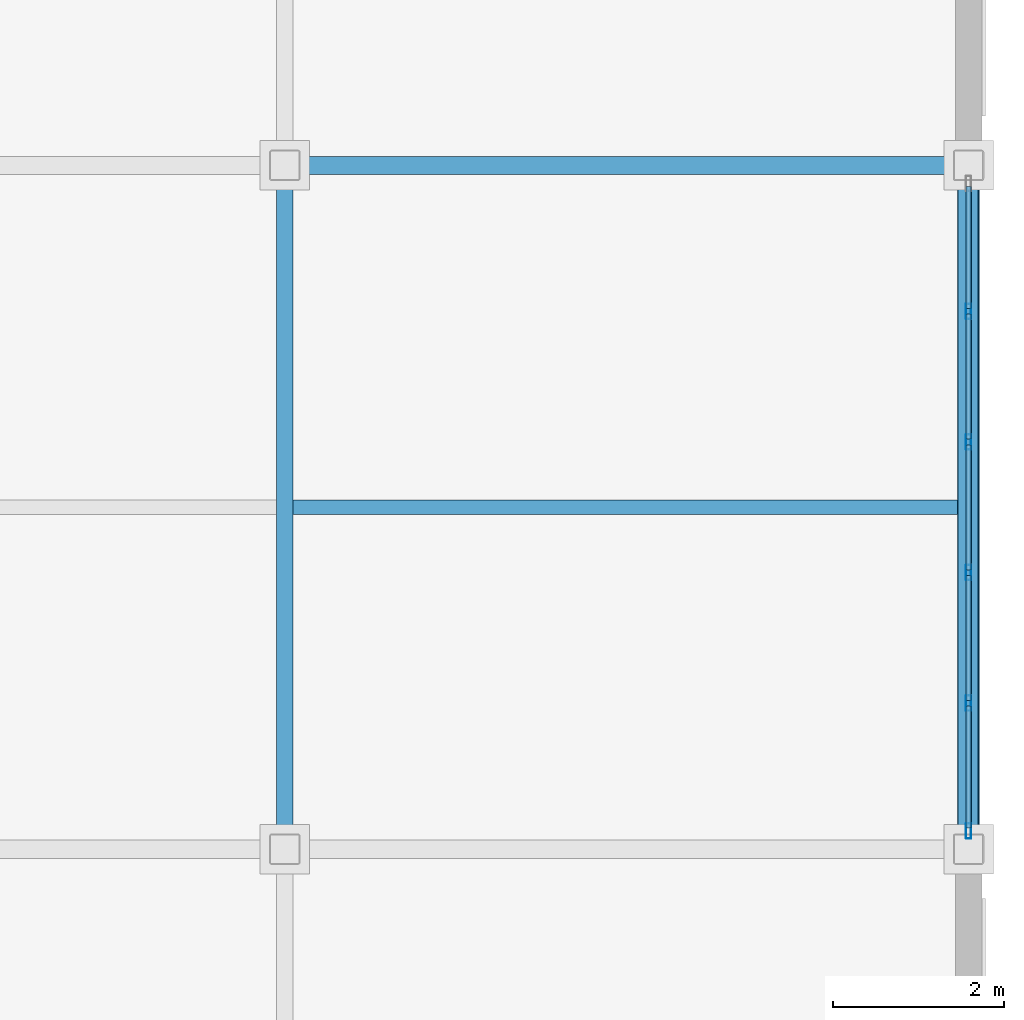
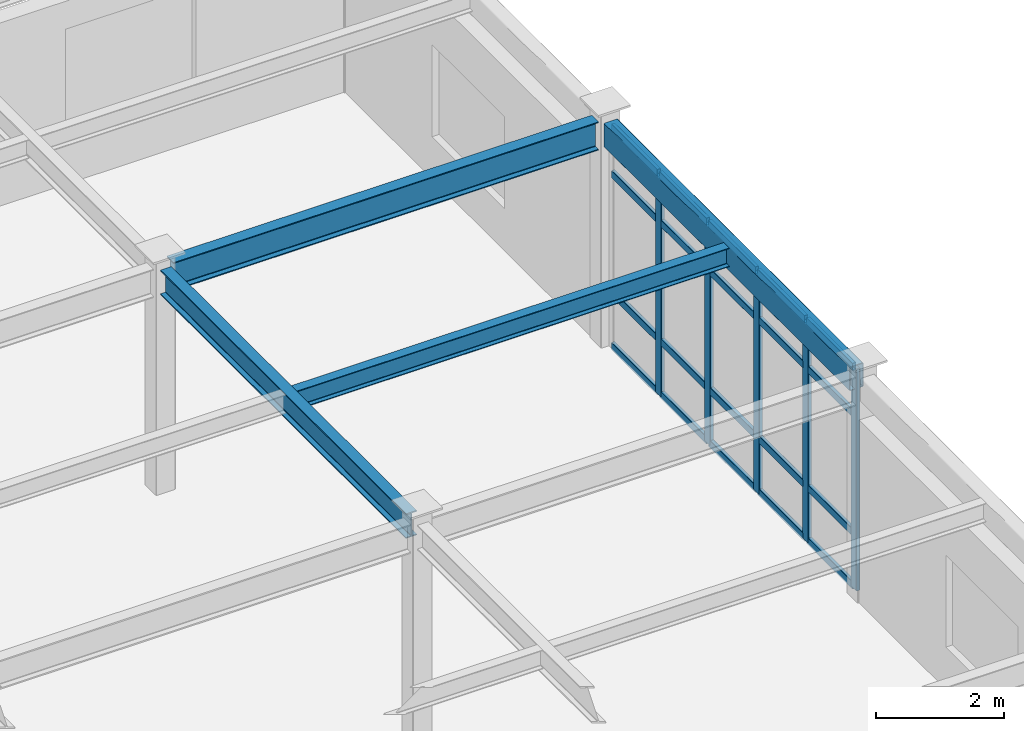
# One storey, part 68 of 111: 25 members, 4 beams, 1 element without a shape of its own.
"""IFC4 building model written with IfcOpenShell, lengths in metres."""

from ifc_helpers import new_model, si_unit, direction, frame, origin, origin_2d, place, context, subcontext, project, spatial, hollow_rectangle, i_section, extrude, material, material_profile, profile_set, type_object, element, aggregate, save


model = new_model("IFC4")

# Units and contexts
model_context = context("Model", 3, precision=1e-05, world=origin(), true_north=direction((0.0, 1.0)))
body_context = subcontext(model_context, "Body", "Model", "MODEL_VIEW")
ifc_project = project(units=[si_unit("LENGTHUNIT", "METRE"), si_unit("AREAUNIT", "SQUARE_METRE"), si_unit("VOLUMEUNIT", "CUBIC_METRE"), si_unit("PLANEANGLEUNIT", "RADIAN"), si_unit("MASSUNIT", "GRAM", prefix="KILO")], contexts=[model_context])

# Site, building, storey
site_placement = place(None, origin())
site = spatial("IfcSite", under=ifc_project, at=site_placement, CompositionType="ELEMENT")
building_placement = place(site_placement, origin())
building = spatial("IfcBuilding", under=site, at=building_placement, Name="Solmirada Galleria", CompositionType="ELEMENT")
storey_placement = place(building_placement, frame((0.0, 0.0, 10.39990234375)))
storey = spatial("IfcBuildingStorey", under=building, at=storey_placement, Name="L02", CompositionType="ELEMENT", Elevation=10.39990234375)

# Beams
ifc_material_1 = material(Name="Steel S355 / ASTM A992 Grade 50", Category="steel")
ifc_material_profile_1 = material_profile(ifc_material_1, i_section(OverallWidth=0.194091796875, OverallDepth=0.468994140625, WebThickness=0.0126953125, FlangeThickness=0.0205078125, FilletRadius=0.013916015625, at=origin_2d()), Name="W18X71")
ifc_profile_set_1 = profile_set([ifc_material_profile_1], Name="Steel S355 / ASTM A992 Grade 50")
beam_type_1 = type_object("IfcBeamType", Name="BM-GIRD-W18B", PredefinedType="BEAM", material=ifc_profile_set_1)
beam_1_placement = place(storey_placement, frame((168.0, 16.177978515625, 4.025634765625), z_axis=(0.0, 1.0, 0.0), x_axis=(-1.0, 0.0, 0.0)))
element("IfcBeam", 1, at=beam_1_placement, inside=storey, type_object=beam_type_1, Name="Primary girder L03 Y(168, 16..24)", PredefinedType="BEAM", context=body_context, shape_type="SweptSolid", body=[
    extrude(i_section(OverallWidth=0.194091796875, OverallDepth=0.468994140625, WebThickness=0.0126953125, FlangeThickness=0.0205078125, FilletRadius=0.013916015625, at=origin_2d()), origin(), (0.0, 0.0, 1.0), 7.64404296875),
])
ifc_material_profile_2 = material_profile(ifc_material_1, i_section(OverallWidth=0.2099609375, OverallDepth=0.537109375, WebThickness=0.010986328125, FlangeThickness=0.017333984375, FilletRadius=0.014892578125, at=origin_2d()), Name="W21X68")
ifc_profile_set_2 = profile_set([ifc_material_profile_2], Name="Steel S355 / ASTM A992 Grade 50")
beam_type_2 = type_object("IfcBeamType", Name="BM-GIRD-W21B", PredefinedType="BEAM", material=ifc_profile_set_2)
beam_2_placement = place(storey_placement, frame((168.177978515625, 24.0, 3.99169921875), z_axis=(1.0, 0.0, 0.0), x_axis=(0.0, 1.0, 0.0)))
element("IfcBeam", 2, at=beam_2_placement, inside=storey, type_object=beam_type_2, Name="Primary beam L03 X(168..176, 24)", PredefinedType="BEAM", context=body_context, shape_type="SweptSolid", body=[
    extrude(i_section(OverallWidth=0.2099609375, OverallDepth=0.537109375, WebThickness=0.010986328125, FlangeThickness=0.017333984375, FilletRadius=0.014892578125, at=origin_2d()), origin(), (0.0, 0.0, 1.0), 7.64404296875),
])
ifc_material_profile_3 = material_profile(ifc_material_1, i_section(OverallWidth=0.172119140625, OverallDepth=0.35791015625, WebThickness=0.0078125, FlangeThickness=0.01318359375, FilletRadius=0.011962890625, at=origin_2d()), Name="W14X38")
ifc_profile_set_3 = profile_set([ifc_material_profile_3], Name="Steel S355 / ASTM A992 Grade 50")
beam_type_3 = type_object("IfcBeamType", Name="BM-JST-W14A", PredefinedType="JOIST", material=ifc_profile_set_3)
beam_3_placement = place(storey_placement, frame((168.096923828125, 20.0, 4.0810546875), z_axis=(1.0, 0.0, 0.0), x_axis=(0.0, 1.0, 0.0)))
element("IfcBeam", 3, at=beam_3_placement, inside=storey, type_object=beam_type_3, Name="Composite floor joist L03 (168..176, 20.0)", PredefinedType="JOIST", context=body_context, shape_type="SweptSolid", body=[
    extrude(i_section(OverallWidth=0.172119140625, OverallDepth=0.35791015625, WebThickness=0.0078125, FlangeThickness=0.01318359375, FilletRadius=0.011962890625, at=origin_2d()), origin(), (0.0, 0.0, 1.0), 7.776123046875),
])
ifc_material_2 = material(Name="Steel S355 / ASTM A500 Grade C", Category="steel")
ifc_material_profile_4 = material_profile(ifc_material_2, hollow_rectangle(XDim=0.25390625, YDim=0.45703125, WallThickness=0.01171875, InnerFilletRadius=0.01171875, OuterFilletRadius=0.023681640625, at=origin_2d()), Name="HSS18X10X1/2")
ifc_profile_set_4 = profile_set([ifc_material_profile_4], Name="Steel S355 / ASTM A500 Grade C")
beam_type_4 = type_object("IfcBeamType", Name="BM-SPAND-W18", PredefinedType="SPANDREL", material=ifc_profile_set_4)
beam_4_placement = place(storey_placement, frame((176.0, 16.177978515625, 4.031494140625), z_axis=(0.0, 1.0, 0.0), x_axis=(-1.0, 0.0, 0.0)))
element("IfcBeam", 4, at=beam_4_placement, inside=storey, type_object=beam_type_4, Name="Primary girder L03 Y(176, 16..24)", PredefinedType="SPANDREL", context=body_context, shape_type="SweptSolid", body=[
    extrude(hollow_rectangle(XDim=0.25390625, YDim=0.45703125, WallThickness=0.01171875, InnerFilletRadius=0.01171875, OuterFilletRadius=0.023681640625, at=origin_2d()), origin(), (0.0, 0.0, 1.0), 7.64404296875),
])

# Curtain wall, members
ifc_material_3 = material(Name="Impact-resistant low-E double glazing", Category="glass")
curtain_wall_type = type_object("IfcCurtainWallType", Name="CW-FZ5-L02-B5-L076", PredefinedType="NOTDEFINED", material=ifc_material_3)
curtain_wall_placement = place(storey_placement, origin())
curtain_wall = element("IfcCurtainWall", 5, at=curtain_wall_placement, inside=storey, type_object=curtain_wall_type, Name="Terrace and arcade storefront CW-L02-116", PredefinedType="NOTDEFINED")
ifc_material_4 = material(Name="Anodised aluminium framing", Category="aluminium")
ifc_material_profile_5 = material_profile(ifc_material_4, hollow_rectangle(XDim=0.06494140625, YDim=0.179931640625, WallThickness=0.00390625, InnerFilletRadius=0.00390625, OuterFilletRadius=0.008056640625, at=origin_2d()), Name="ALU-MULL-180X65")
ifc_profile_set_5 = profile_set([ifc_material_profile_5], Name="Anodised aluminium framing")
member_type_1 = type_object("IfcMemberType", Name="CW-MULL-180", PredefinedType="MULLION", material=ifc_profile_set_5)
member_1_placement = place(storey_placement, frame((176.0, 22.2919921875, 0.0), z_axis=(0.0, 0.0, 1.0), x_axis=(1.0, 0.0, 0.0)))
member_1 = element("IfcMember", 6, at=member_1_placement, type_object=member_type_1, Name="CW26 mullion 2", PredefinedType="MULLION", context=body_context, shape_type="SweptSolid", body=[
    extrude(hollow_rectangle(XDim=0.06494140625, YDim=0.179931640625, WallThickness=0.00390625, InnerFilletRadius=0.00390625, OuterFilletRadius=0.008056640625, at=origin_2d()), origin(), (0.0, 0.0, 1.0), 4.22021484375),
])
member_2_placement = place(storey_placement, frame((176.0, 20.763916015625, 0.0), z_axis=(0.0, 0.0, 1.0), x_axis=(1.0, 0.0, 0.0)))
member_2 = element("IfcMember", 7, at=member_2_placement, type_object=member_type_1, Name="CW26 mullion 3", PredefinedType="MULLION", context=body_context, shape_type="SweptSolid", body=[
    extrude(hollow_rectangle(XDim=0.06494140625, YDim=0.179931640625, WallThickness=0.00390625, InnerFilletRadius=0.00390625, OuterFilletRadius=0.008056640625, at=origin_2d()), origin(), (0.0, 0.0, 1.0), 4.22021484375),
])
member_3_placement = place(storey_placement, frame((176.0, 19.236083984375, 0.0), z_axis=(0.0, 0.0, 1.0), x_axis=(1.0, 0.0, 0.0)))
member_3 = element("IfcMember", 8, at=member_3_placement, type_object=member_type_1, Name="CW26 mullion 4", PredefinedType="MULLION", context=body_context, shape_type="SweptSolid", body=[
    extrude(hollow_rectangle(XDim=0.06494140625, YDim=0.179931640625, WallThickness=0.00390625, InnerFilletRadius=0.00390625, OuterFilletRadius=0.008056640625, at=origin_2d()), origin(), (0.0, 0.0, 1.0), 4.22021484375),
])
member_4_placement = place(storey_placement, frame((176.0, 17.7080078125, 0.0), z_axis=(0.0, 0.0, 1.0), x_axis=(1.0, 0.0, 0.0)))
member_4 = element("IfcMember", 9, at=member_4_placement, type_object=member_type_1, Name="CW26 mullion 5", PredefinedType="MULLION", context=body_context, shape_type="SweptSolid", body=[
    extrude(hollow_rectangle(XDim=0.06494140625, YDim=0.179931640625, WallThickness=0.00390625, InnerFilletRadius=0.00390625, OuterFilletRadius=0.008056640625, at=origin_2d()), origin(), (0.0, 0.0, 1.0), 4.22021484375),
])
member_5_placement = place(storey_placement, frame((176.0, 16.21240234375, 0.0), z_axis=(0.0, 0.0, 1.0), x_axis=(1.0, 0.0, 0.0)))
member_5 = element("IfcMember", 10, at=member_5_placement, type_object=member_type_1, Name="CW26 mullion 6", PredefinedType="MULLION", context=body_context, shape_type="SweptSolid", body=[
    extrude(hollow_rectangle(XDim=0.06494140625, YDim=0.179931640625, WallThickness=0.00390625, InnerFilletRadius=0.00390625, OuterFilletRadius=0.008056640625, at=origin_2d()), origin(), (0.0, 0.0, 1.0), 4.22021484375),
])
ifc_material_profile_6 = material_profile(ifc_material_4, hollow_rectangle(XDim=0.06494140625, YDim=0.139892578125, WallThickness=0.00341796875, InnerFilletRadius=0.00341796875, OuterFilletRadius=0.007080078125, at=origin_2d()), Name="ALU-TRAN-140X65")
ifc_profile_set_6 = profile_set([ifc_material_profile_6], Name="Anodised aluminium framing")
member_type_2 = type_object("IfcMemberType", Name="CW-TRAN-140", PredefinedType="USERDEFINED", material=ifc_profile_set_6)
member_6_placement = place(storey_placement, frame((176.0, 23.7548828125, 0.03271484375), z_axis=(0.0, -1.0, 0.0), x_axis=(1.0, 0.0, 0.0)))
member_6 = element("IfcMember", 11, at=member_6_placement, type_object=member_type_2, Name="CW26 transom 1.1", ObjectType="TRANSOM", PredefinedType="USERDEFINED", context=body_context, shape_type="SweptSolid", body=[
    extrude(hollow_rectangle(XDim=0.06494140625, YDim=0.139892578125, WallThickness=0.00341796875, InnerFilletRadius=0.00341796875, OuterFilletRadius=0.007080078125, at=origin_2d()), origin(), (0.0, 0.0, 1.0), 1.430419921875),
])
member_7_placement = place(storey_placement, frame((176.0, 23.7548828125, 1.0400390625), z_axis=(0.0, -1.0, 0.0), x_axis=(1.0, 0.0, 0.0)))
member_7 = element("IfcMember", 12, at=member_7_placement, type_object=member_type_2, Name="CW26 transom 1.2", ObjectType="TRANSOM", PredefinedType="USERDEFINED", context=body_context, shape_type="SweptSolid", body=[
    extrude(hollow_rectangle(XDim=0.06494140625, YDim=0.139892578125, WallThickness=0.00341796875, InnerFilletRadius=0.00341796875, OuterFilletRadius=0.007080078125, at=origin_2d()), origin(), (0.0, 0.0, 1.0), 1.430419921875),
])
member_8_placement = place(storey_placement, frame((176.0, 23.7548828125, 3.300048828125), z_axis=(0.0, -1.0, 0.0), x_axis=(1.0, 0.0, 0.0)))
member_8 = element("IfcMember", 13, at=member_8_placement, type_object=member_type_2, Name="CW26 transom 1.3", ObjectType="TRANSOM", PredefinedType="USERDEFINED", context=body_context, shape_type="SweptSolid", body=[
    extrude(hollow_rectangle(XDim=0.06494140625, YDim=0.139892578125, WallThickness=0.00341796875, InnerFilletRadius=0.00341796875, OuterFilletRadius=0.007080078125, at=origin_2d()), origin(), (0.0, 0.0, 1.0), 1.430419921875),
])
member_9_placement = place(storey_placement, frame((176.0, 23.7548828125, 4.1875), z_axis=(0.0, -1.0, 0.0), x_axis=(1.0, 0.0, 0.0)))
member_9 = element("IfcMember", 14, at=member_9_placement, type_object=member_type_2, Name="CW26 transom 1.4", ObjectType="TRANSOM", PredefinedType="USERDEFINED", context=body_context, shape_type="SweptSolid", body=[
    extrude(hollow_rectangle(XDim=0.06494140625, YDim=0.139892578125, WallThickness=0.00341796875, InnerFilletRadius=0.00341796875, OuterFilletRadius=0.007080078125, at=origin_2d()), origin(), (0.0, 0.0, 1.0), 1.430419921875),
])
member_10_placement = place(storey_placement, frame((176.0, 22.259521484375, 0.03271484375), z_axis=(0.0, -1.0, 0.0), x_axis=(1.0, 0.0, 0.0)))
member_10 = element("IfcMember", 15, at=member_10_placement, type_object=member_type_2, Name="CW26 transom 2.1", ObjectType="TRANSOM", PredefinedType="USERDEFINED", context=body_context, shape_type="SweptSolid", body=[
    extrude(hollow_rectangle(XDim=0.06494140625, YDim=0.139892578125, WallThickness=0.00341796875, InnerFilletRadius=0.00341796875, OuterFilletRadius=0.007080078125, at=origin_2d()), origin(), (0.0, 0.0, 1.0), 1.463134765625),
])
member_11_placement = place(storey_placement, frame((176.0, 22.259521484375, 1.0400390625), z_axis=(0.0, -1.0, 0.0), x_axis=(1.0, 0.0, 0.0)))
member_11 = element("IfcMember", 16, at=member_11_placement, type_object=member_type_2, Name="CW26 transom 2.2", ObjectType="TRANSOM", PredefinedType="USERDEFINED", context=body_context, shape_type="SweptSolid", body=[
    extrude(hollow_rectangle(XDim=0.06494140625, YDim=0.139892578125, WallThickness=0.00341796875, InnerFilletRadius=0.00341796875, OuterFilletRadius=0.007080078125, at=origin_2d()), origin(), (0.0, 0.0, 1.0), 1.463134765625),
])
member_12_placement = place(storey_placement, frame((176.0, 22.259521484375, 3.300048828125), z_axis=(0.0, -1.0, 0.0), x_axis=(1.0, 0.0, 0.0)))
member_12 = element("IfcMember", 17, at=member_12_placement, type_object=member_type_2, Name="CW26 transom 2.3", ObjectType="TRANSOM", PredefinedType="USERDEFINED", context=body_context, shape_type="SweptSolid", body=[
    extrude(hollow_rectangle(XDim=0.06494140625, YDim=0.139892578125, WallThickness=0.00341796875, InnerFilletRadius=0.00341796875, OuterFilletRadius=0.007080078125, at=origin_2d()), origin(), (0.0, 0.0, 1.0), 1.463134765625),
])
member_13_placement = place(storey_placement, frame((176.0, 22.259521484375, 4.1875), z_axis=(0.0, -1.0, 0.0), x_axis=(1.0, 0.0, 0.0)))
member_13 = element("IfcMember", 18, at=member_13_placement, type_object=member_type_2, Name="CW26 transom 2.4", ObjectType="TRANSOM", PredefinedType="USERDEFINED", context=body_context, shape_type="SweptSolid", body=[
    extrude(hollow_rectangle(XDim=0.06494140625, YDim=0.139892578125, WallThickness=0.00341796875, InnerFilletRadius=0.00341796875, OuterFilletRadius=0.007080078125, at=origin_2d()), origin(), (0.0, 0.0, 1.0), 1.463134765625),
])
member_14_placement = place(storey_placement, frame((176.0, 20.7314453125, 0.03271484375), z_axis=(0.0, -1.0, 0.0), x_axis=(1.0, 0.0, 0.0)))
member_14 = element("IfcMember", 19, at=member_14_placement, type_object=member_type_2, Name="CW26 transom 3.1", ObjectType="TRANSOM", PredefinedType="USERDEFINED", context=body_context, shape_type="SweptSolid", body=[
    extrude(hollow_rectangle(XDim=0.06494140625, YDim=0.139892578125, WallThickness=0.00341796875, InnerFilletRadius=0.00341796875, OuterFilletRadius=0.007080078125, at=origin_2d()), origin(), (0.0, 0.0, 1.0), 1.462890625),
])
member_15_placement = place(storey_placement, frame((176.0, 20.7314453125, 1.0400390625), z_axis=(0.0, -1.0, 0.0), x_axis=(1.0, 0.0, 0.0)))
member_15 = element("IfcMember", 20, at=member_15_placement, type_object=member_type_2, Name="CW26 transom 3.2", ObjectType="TRANSOM", PredefinedType="USERDEFINED", context=body_context, shape_type="SweptSolid", body=[
    extrude(hollow_rectangle(XDim=0.06494140625, YDim=0.139892578125, WallThickness=0.00341796875, InnerFilletRadius=0.00341796875, OuterFilletRadius=0.007080078125, at=origin_2d()), origin(), (0.0, 0.0, 1.0), 1.462890625),
])
member_16_placement = place(storey_placement, frame((176.0, 20.7314453125, 3.300048828125), z_axis=(0.0, -1.0, 0.0), x_axis=(1.0, 0.0, 0.0)))
member_16 = element("IfcMember", 21, at=member_16_placement, type_object=member_type_2, Name="CW26 transom 3.3", ObjectType="TRANSOM", PredefinedType="USERDEFINED", context=body_context, shape_type="SweptSolid", body=[
    extrude(hollow_rectangle(XDim=0.06494140625, YDim=0.139892578125, WallThickness=0.00341796875, InnerFilletRadius=0.00341796875, OuterFilletRadius=0.007080078125, at=origin_2d()), origin(), (0.0, 0.0, 1.0), 1.462890625),
])
member_17_placement = place(storey_placement, frame((176.0, 20.7314453125, 4.1875), z_axis=(0.0, -1.0, 0.0), x_axis=(1.0, 0.0, 0.0)))
member_17 = element("IfcMember", 22, at=member_17_placement, type_object=member_type_2, Name="CW26 transom 3.4", ObjectType="TRANSOM", PredefinedType="USERDEFINED", context=body_context, shape_type="SweptSolid", body=[
    extrude(hollow_rectangle(XDim=0.06494140625, YDim=0.139892578125, WallThickness=0.00341796875, InnerFilletRadius=0.00341796875, OuterFilletRadius=0.007080078125, at=origin_2d()), origin(), (0.0, 0.0, 1.0), 1.462890625),
])
member_18_placement = place(storey_placement, frame((176.0, 19.20361328125, 0.03271484375), z_axis=(0.0, -1.0, 0.0), x_axis=(1.0, 0.0, 0.0)))
member_18 = element("IfcMember", 23, at=member_18_placement, type_object=member_type_2, Name="CW26 transom 4.1", ObjectType="TRANSOM", PredefinedType="USERDEFINED", context=body_context, shape_type="SweptSolid", body=[
    extrude(hollow_rectangle(XDim=0.06494140625, YDim=0.139892578125, WallThickness=0.00341796875, InnerFilletRadius=0.00341796875, OuterFilletRadius=0.007080078125, at=origin_2d()), origin(), (0.0, 0.0, 1.0), 1.463134765625),
])
member_19_placement = place(storey_placement, frame((176.0, 19.20361328125, 1.0400390625), z_axis=(0.0, -1.0, 0.0), x_axis=(1.0, 0.0, 0.0)))
member_19 = element("IfcMember", 24, at=member_19_placement, type_object=member_type_2, Name="CW26 transom 4.2", ObjectType="TRANSOM", PredefinedType="USERDEFINED", context=body_context, shape_type="SweptSolid", body=[
    extrude(hollow_rectangle(XDim=0.06494140625, YDim=0.139892578125, WallThickness=0.00341796875, InnerFilletRadius=0.00341796875, OuterFilletRadius=0.007080078125, at=origin_2d()), origin(), (0.0, 0.0, 1.0), 1.463134765625),
])
member_20_placement = place(storey_placement, frame((176.0, 19.20361328125, 3.300048828125), z_axis=(0.0, -1.0, 0.0), x_axis=(1.0, 0.0, 0.0)))
member_20 = element("IfcMember", 25, at=member_20_placement, type_object=member_type_2, Name="CW26 transom 4.3", ObjectType="TRANSOM", PredefinedType="USERDEFINED", context=body_context, shape_type="SweptSolid", body=[
    extrude(hollow_rectangle(XDim=0.06494140625, YDim=0.139892578125, WallThickness=0.00341796875, InnerFilletRadius=0.00341796875, OuterFilletRadius=0.007080078125, at=origin_2d()), origin(), (0.0, 0.0, 1.0), 1.463134765625),
])
member_21_placement = place(storey_placement, frame((176.0, 19.20361328125, 4.1875), z_axis=(0.0, -1.0, 0.0), x_axis=(1.0, 0.0, 0.0)))
member_21 = element("IfcMember", 26, at=member_21_placement, type_object=member_type_2, Name="CW26 transom 4.4", ObjectType="TRANSOM", PredefinedType="USERDEFINED", context=body_context, shape_type="SweptSolid", body=[
    extrude(hollow_rectangle(XDim=0.06494140625, YDim=0.139892578125, WallThickness=0.00341796875, InnerFilletRadius=0.00341796875, OuterFilletRadius=0.007080078125, at=origin_2d()), origin(), (0.0, 0.0, 1.0), 1.463134765625),
])
member_22_placement = place(storey_placement, frame((176.0, 17.675537109375, 0.03271484375), z_axis=(0.0, -1.0, 0.0), x_axis=(1.0, 0.0, 0.0)))
member_22 = element("IfcMember", 27, at=member_22_placement, type_object=member_type_2, Name="CW26 transom 5.1", ObjectType="TRANSOM", PredefinedType="USERDEFINED", context=body_context, shape_type="SweptSolid", body=[
    extrude(hollow_rectangle(XDim=0.06494140625, YDim=0.139892578125, WallThickness=0.00341796875, InnerFilletRadius=0.00341796875, OuterFilletRadius=0.007080078125, at=origin_2d()), origin(), (0.0, 0.0, 1.0), 1.430419921875),
])
member_23_placement = place(storey_placement, frame((176.0, 17.675537109375, 1.0400390625), z_axis=(0.0, -1.0, 0.0), x_axis=(1.0, 0.0, 0.0)))
member_23 = element("IfcMember", 28, at=member_23_placement, type_object=member_type_2, Name="CW26 transom 5.2", ObjectType="TRANSOM", PredefinedType="USERDEFINED", context=body_context, shape_type="SweptSolid", body=[
    extrude(hollow_rectangle(XDim=0.06494140625, YDim=0.139892578125, WallThickness=0.00341796875, InnerFilletRadius=0.00341796875, OuterFilletRadius=0.007080078125, at=origin_2d()), origin(), (0.0, 0.0, 1.0), 1.430419921875),
])
member_24_placement = place(storey_placement, frame((176.0, 17.675537109375, 3.300048828125), z_axis=(0.0, -1.0, 0.0), x_axis=(1.0, 0.0, 0.0)))
member_24 = element("IfcMember", 29, at=member_24_placement, type_object=member_type_2, Name="CW26 transom 5.3", ObjectType="TRANSOM", PredefinedType="USERDEFINED", context=body_context, shape_type="SweptSolid", body=[
    extrude(hollow_rectangle(XDim=0.06494140625, YDim=0.139892578125, WallThickness=0.00341796875, InnerFilletRadius=0.00341796875, OuterFilletRadius=0.007080078125, at=origin_2d()), origin(), (0.0, 0.0, 1.0), 1.430419921875),
])
member_25_placement = place(storey_placement, frame((176.0, 17.675537109375, 4.1875), z_axis=(0.0, -1.0, 0.0), x_axis=(1.0, 0.0, 0.0)))
member_25 = element("IfcMember", 30, at=member_25_placement, type_object=member_type_2, Name="CW26 transom 5.4", ObjectType="TRANSOM", PredefinedType="USERDEFINED", context=body_context, shape_type="SweptSolid", body=[
    extrude(hollow_rectangle(XDim=0.06494140625, YDim=0.139892578125, WallThickness=0.00341796875, InnerFilletRadius=0.00341796875, OuterFilletRadius=0.007080078125, at=origin_2d()), origin(), (0.0, 0.0, 1.0), 1.430419921875),
])
aggregate(curtain_wall, [member_1, member_2, member_3, member_4, member_5, member_6, member_7, member_8, member_9, member_10, member_11, member_12, member_13, member_14, member_15, member_16, member_17, member_18, member_19, member_20, member_21, member_22, member_23, member_24, member_25])

save(model, "model.ifc")
